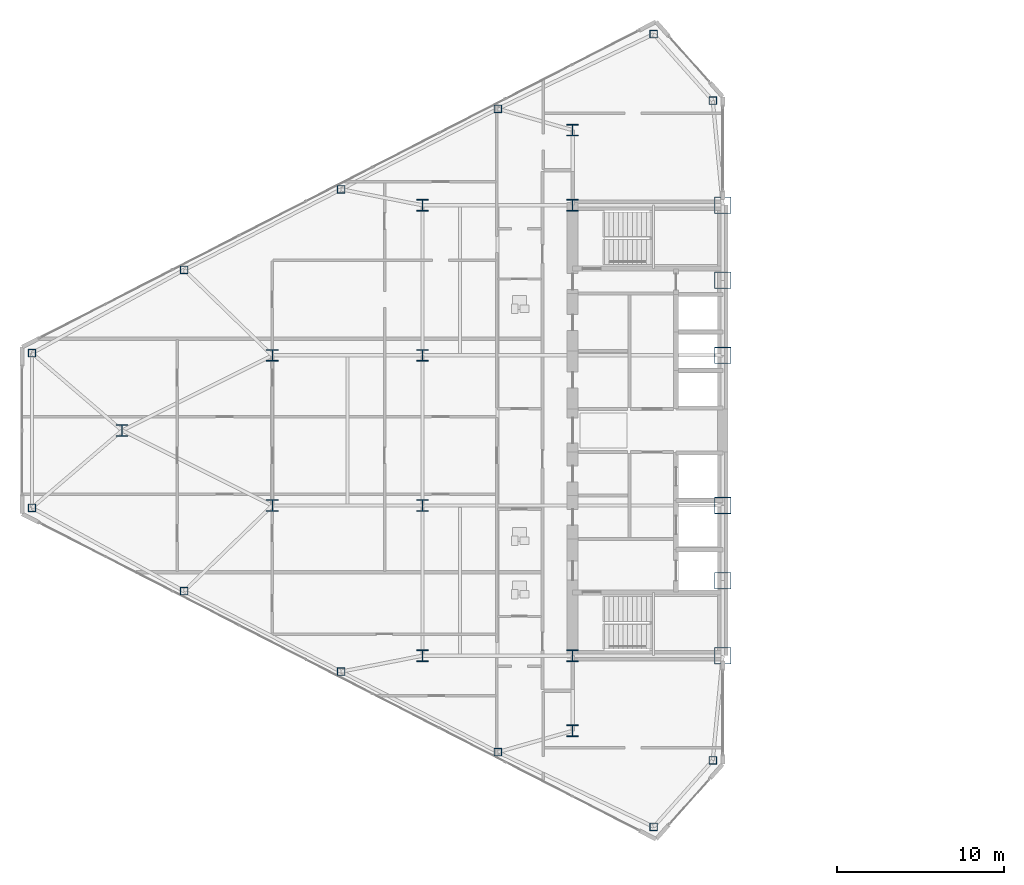
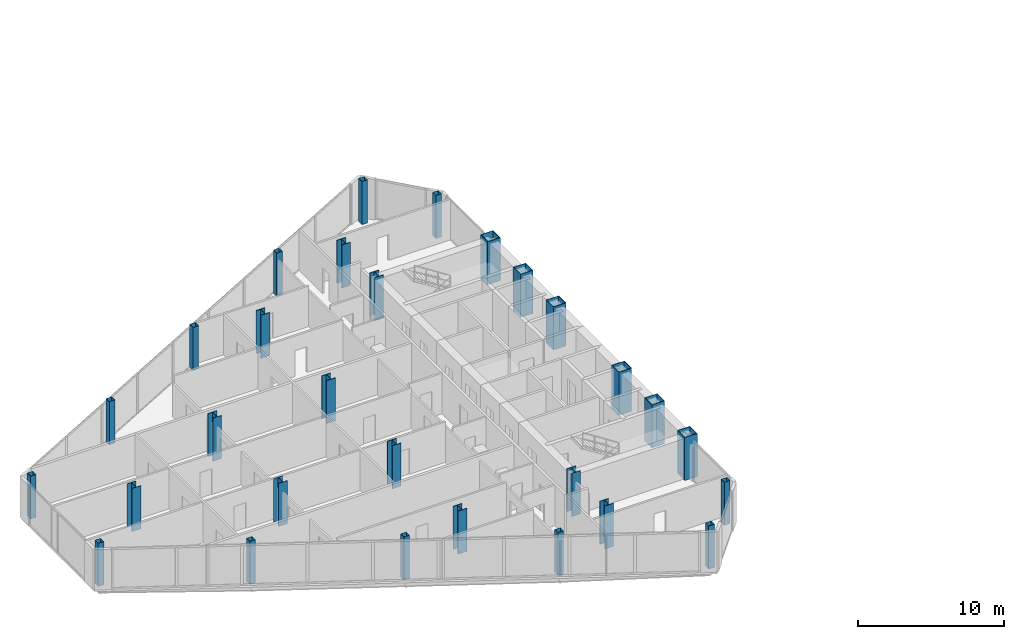
# One storey, part 1 of 24: 29 columns.
"""IFC4 building model written with IfcOpenShell, lengths in metres."""

from ifc_helpers import new_model, si_unit, direction, frame, origin, origin_2d, place, context, subcontext, project, spatial, hollow_rectangle, i_section, extrude, source, transform, mapped, material, material_profile, profile_set, type_object, type_shapes, element, save


model = new_model("IFC4")

# Units and contexts
model_context = context("Model", 3, precision=1e-05, world=origin(), true_north=direction((0.0, 1.0)))
body_context = subcontext(model_context, "Body", "Model", "MODEL_VIEW")
ifc_project = project(units=[si_unit("LENGTHUNIT", "METRE"), si_unit("AREAUNIT", "SQUARE_METRE"), si_unit("VOLUMEUNIT", "CUBIC_METRE"), si_unit("PLANEANGLEUNIT", "RADIAN"), si_unit("MASSUNIT", "GRAM", prefix="KILO")], contexts=[model_context])

# Site, building, storey
site_placement = place(None, origin())
site = spatial("IfcSite", under=ifc_project, at=site_placement, CompositionType="ELEMENT")
building_placement = place(site_placement, origin())
building = spatial("IfcBuilding", under=site, at=building_placement, Name="Seokmaru Belvedere", CompositionType="ELEMENT")
storey_placement = place(building_placement, frame((0.0, 0.0, 114.0)))
storey = spatial("IfcBuildingStorey", under=building, at=storey_placement, Name="L30", CompositionType="ELEMENT", Elevation=114.0)

# Columns
ifc_material_1 = material(Name="Steel HSA650 (650 MPa)", Category="steel")
ifc_material_profile_1 = material_profile(ifc_material_1, hollow_rectangle(XDim=1.0, YDim=1.0, WallThickness=0.0419921875, at=origin_2d()), Name="BOX-1000x1000x42")
ifc_profile_set_1 = profile_set([ifc_material_profile_1], Name="Steel HSA650 (650 MPa)")
column_type_1 = type_object("IfcColumnType", Name="Portal Spine Column BOX-1000", PredefinedType="COLUMN", material=ifc_profile_set_1)
shared_shape_1 = source(origin(), body_context, "Body", "SweptSolid", [
    extrude(hollow_rectangle(XDim=1.0, YDim=1.0, WallThickness=0.0419921875, at=origin_2d()), origin(), (0.0, 0.0, 1.0), 3.60009765625),
])
type_shapes(column_type_1, [shared_shape_1])
for number, where, z_axis, x_axis, name in (
    (1, (-27.5, -13.5, 0.0), (0.0, 0.0, 1.0), (1.0, 0.0, 0.0), "L30 Column WS1"),
    (2, (-27.5, -9.0, 0.0), (0.0, 0.0, 1.0), (1.0, 0.0, 0.0), "L30 Column WS2"),
    (3, (-27.5, -4.5, 0.0), (0.0, 0.0, 1.0), (1.0, 0.0, 0.0), "L30 Column WS3"),
    (4, (-27.5, 4.5, 0.0), (0.0, 0.0, 1.0), (1.0, 0.0, 0.0), "L30 Column WS4"),
    (5, (-27.5, 9.0, 0.0), (0.0, 0.0, 1.0), (1.0, 0.0, 0.0), "L30 Column WS5"),
    (6, (-27.5, 13.5, 0.0), (0.0, 0.0, 1.0), (1.0, 0.0, 0.0), "L30 Column WS6"),
):
    element("IfcColumn", number, at=place(storey_placement, frame(where, z_axis=z_axis, x_axis=x_axis)), inside=storey, type_object=column_type_1, Name=name, PredefinedType="COLUMN", context=body_context, shape_type="MappedRepresentation", body=[
        mapped(shared_shape_1, transform((0.0, 0.0, 0.0), scale=1.0)),
    ])
ifc_material_2 = material(Name="Steel SM355 (355 MPa)", Category="steel")
ifc_material_profile_2 = material_profile(ifc_material_2, i_section(OverallWidth=0.699951171875, OverallDepth=0.699951171875, WebThickness=0.028076171875, FlangeThickness=0.044921875, at=origin_2d()), Name="H-700x700x28x45")
ifc_profile_set_2 = profile_set([ifc_material_profile_2], Name="Steel SM355 (355 MPa)")
column_type_2 = type_object("IfcColumnType", Name="Mid Interior Column H-700", PredefinedType="COLUMN", material=ifc_profile_set_2)
shared_shape_2 = source(origin(), body_context, "Body", "SweptSolid", [
    extrude(i_section(OverallWidth=0.699951171875, OverallDepth=0.699951171875, WebThickness=0.028076171875, FlangeThickness=0.044921875, at=origin_2d()), origin(), (0.0, 0.0, 1.0), 3.60009765625),
])
type_shapes(column_type_2, [shared_shape_2])
for number, where, z_axis, x_axis, name in (
    (7, (-36.5, -18.0, 0.0), (0.0, 0.0, 1.0), (1.0, 0.0, 0.0), "L30 Column WC1"),
    (8, (-36.5, -13.5, 0.0), (0.0, 0.0, 1.0), (1.0, 0.0, 0.0), "L30 Column WC2"),
    (9, (-36.5, 13.5, 0.0), (0.0, 0.0, 1.0), (1.0, 0.0, 0.0), "L30 Column WC3"),
    (10, (-36.5, 18.0, 0.0), (0.0, 0.0, 1.0), (1.0, 0.0, 0.0), "L30 Column WC4"),
    (11, (-45.5, -13.5, 0.0), (0.0, 0.0, 1.0), (1.0, 0.0, 0.0), "L30 Column WG5_1"),
    (12, (-45.5, -4.5, 0.0), (0.0, 0.0, 1.0), (1.0, 0.0, 0.0), "L30 Column WG5_2"),
    (13, (-45.5, 4.5, 0.0), (0.0, 0.0, 1.0), (1.0, 0.0, 0.0), "L30 Column WG5_3"),
    (14, (-45.5, 13.5, 0.0), (0.0, 0.0, 1.0), (1.0, 0.0, 0.0), "L30 Column WG5_4"),
    (15, (-54.5, -4.5, 0.0), (0.0, 0.0, 1.0), (1.0, 0.0, 0.0), "L30 Column WG4P_1"),
    (16, (-54.5, 4.5, 0.0), (0.0, 0.0, 1.0), (1.0, 0.0, 0.0), "L30 Column WG4P_2"),
    (17, (-63.5, 0.0, 0.0), (0.0, 0.0, 1.0), (1.0, 0.0, 0.0), "L30 Column WG3P_1"),
):
    element("IfcColumn", number, at=place(storey_placement, frame(where, z_axis=z_axis, x_axis=x_axis)), inside=storey, type_object=column_type_2, Name=name, PredefinedType="COLUMN", context=body_context, shape_type="MappedRepresentation", body=[
        mapped(shared_shape_2, transform((0.0, 0.0, 0.0), scale=1.0)),
    ])
ifc_material_profile_3 = material_profile(ifc_material_2, hollow_rectangle(XDim=0.449951171875, YDim=0.449951171875, WallThickness=0.01806640625, at=origin_2d()), Name="HSS-450x450x18")
ifc_profile_set_3 = profile_set([ifc_material_profile_3], Name="Steel SM355 (355 MPa)")
column_type_3 = type_object("IfcColumnType", Name="Perimeter Facet Column HSS-450", PredefinedType="COLUMN", material=ifc_profile_set_3)
shared_shape_3 = source(origin(), body_context, "Body", "SweptSolid", [
    extrude(hollow_rectangle(XDim=0.449951171875, YDim=0.449951171875, WallThickness=0.01806640625, at=origin_2d()), origin(), (0.0, 0.0, 1.0), 3.60009765625),
])
type_shapes(column_type_3, [shared_shape_3])
for number, where, z_axis, x_axis, name in (
    (18, (-28.10009765625, -19.77197265625, 0.0), (0.0, 0.0, 1.0), (1.0, 0.0, 0.0), "L30 Column WF1"),
    (19, (-28.10009765625, 19.77197265625, 0.0), (0.0, 0.0, 1.0), (1.0, 0.0, 0.0), "L30 Column WF2"),
    (20, (-31.6396484375, 23.75390625, 0.0), (0.0, 0.0, 1.0), (1.0, 0.0, 0.0), "L30 Column WF3"),
    (21, (-68.89990234375, 4.633544921875, 0.0), (0.0, 0.0, 1.0), (1.0, 0.0, 0.0), "L30 Column WF4"),
    (22, (-68.89990234375, -4.633544921875, 0.0), (0.0, 0.0, 1.0), (1.0, 0.0, 0.0), "L30 Column WF5"),
    (23, (-31.6396484375, -23.75390625, 0.0), (0.0, 0.0, 1.0), (1.0, 0.0, 0.0), "L30 Column WF6"),
    (24, (-40.975830078125, -19.277587890625, 0.0), (0.0, 0.0, 1.0), (1.0, 0.0, 0.0), "L30 Column WFLK_S1"),
    (25, (-50.377197265625, -14.453369140625, 0.0), (0.0, 0.0, 1.0), (1.0, 0.0, 0.0), "L30 Column WFLK_S2"),
    (26, (-59.778564453125, -9.62890625, 0.0), (0.0, 0.0, 1.0), (1.0, 0.0, 0.0), "L30 Column WFLK_S3"),
    (27, (-40.975830078125, 19.277587890625, 0.0), (0.0, 0.0, 1.0), (1.0, 0.0, 0.0), "L30 Column WFLK_N1"),
    (28, (-50.377197265625, 14.453369140625, 0.0), (0.0, 0.0, 1.0), (1.0, 0.0, 0.0), "L30 Column WFLK_N2"),
    (29, (-59.778564453125, 9.62890625, 0.0), (0.0, 0.0, 1.0), (1.0, 0.0, 0.0), "L30 Column WFLK_N3"),
):
    element("IfcColumn", number, at=place(storey_placement, frame(where, z_axis=z_axis, x_axis=x_axis)), inside=storey, type_object=column_type_3, Name=name, PredefinedType="COLUMN", context=body_context, shape_type="MappedRepresentation", body=[
        mapped(shared_shape_3, transform((0.0, 0.0, 0.0), scale=1.0)),
    ])

save(model, "model.ifc")
